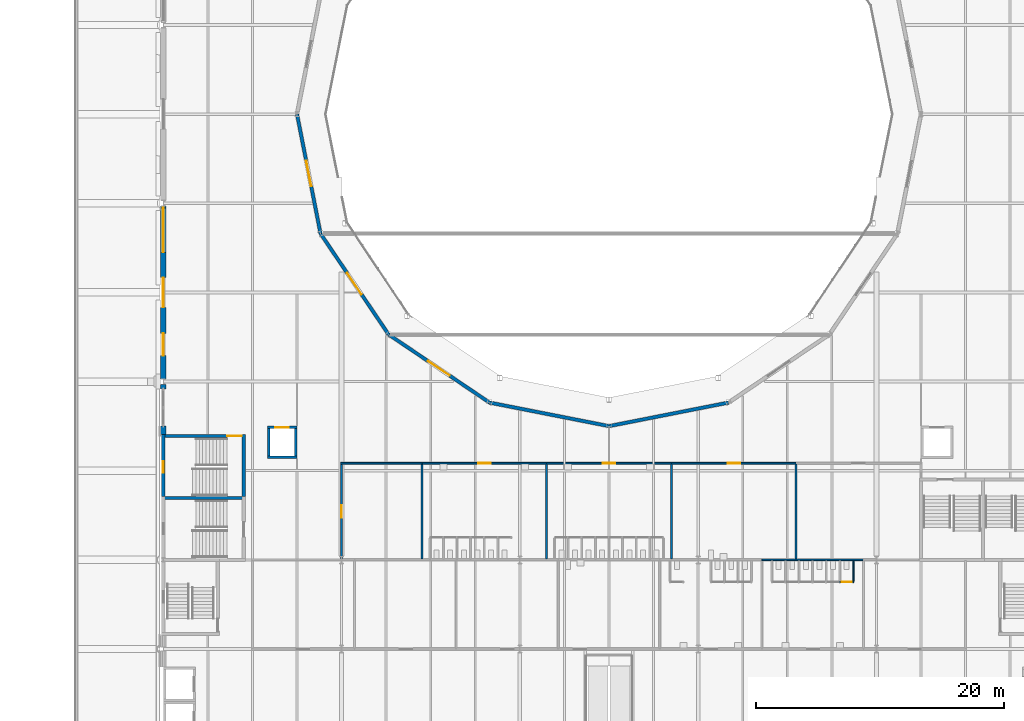
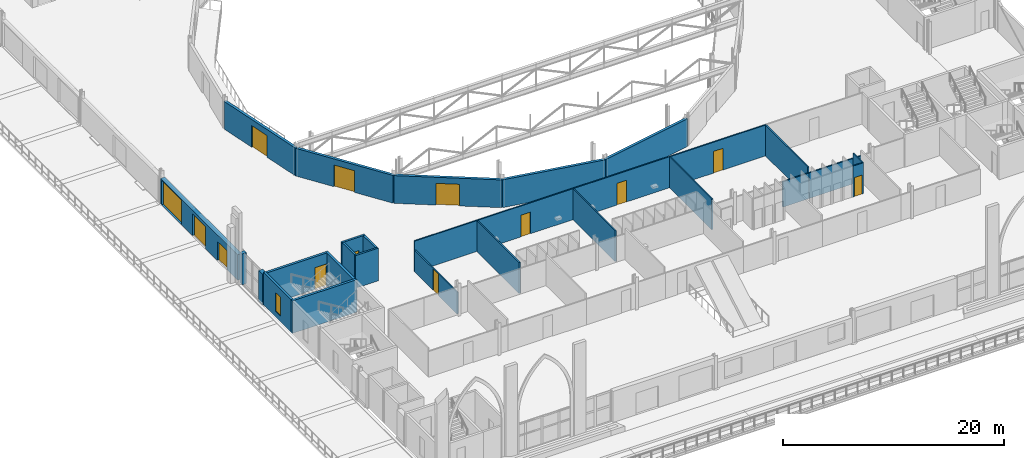
# One storey, part 71 of 143: 29 walls, 13 doors, 1 window, 14 openings.
"""IFC4 building model written with IfcOpenShell, lengths in metres."""

from ifc_helpers import new_model, si_unit, direction, frame, frame_2d, origin, place, context, subcontext, project, spatial, rectangle, extrude, material, layer, layer_set, type_object, element, fill, save


model = new_model("IFC4")

# Units and contexts
model_context = context("Model", 3, precision=1e-05, world=origin(), true_north=direction((0.0, 1.0)))
body_context = subcontext(model_context, "Body", "Model", "MODEL_VIEW")
ifc_project = project(units=[si_unit("LENGTHUNIT", "METRE"), si_unit("AREAUNIT", "SQUARE_METRE"), si_unit("VOLUMEUNIT", "CUBIC_METRE"), si_unit("PLANEANGLEUNIT", "RADIAN"), si_unit("MASSUNIT", "GRAM", prefix="KILO")], contexts=[model_context])

# Site, building, storey
site_placement = place(None, origin())
site = spatial("IfcSite", under=ifc_project, at=site_placement, CompositionType="ELEMENT")
building_placement = place(site_placement, origin())
building = spatial("IfcBuilding", under=site, at=building_placement, Name="Kupolbacken Congress Centre", CompositionType="ELEMENT")
storey_placement = place(building_placement, frame((0.0, 0.0, 7.199951171875)))
storey = spatial("IfcBuildingStorey", under=building, at=storey_placement, Name="L02", CompositionType="ELEMENT", Elevation=7.199951171875)

# Wall, openings, doors
ifc_material_1 = material(Name="Limestone", Category="masonry")
ifc_layer_1 = layer(ifc_material_1, 0.1201171875)
ifc_material_2 = material(Name="Air cavity", Category="air")
ifc_layer_2 = layer(ifc_material_2, 0.0400390625, ventilated=True)
ifc_material_3 = material(Name="Mineral wool", Category="insulation")
ifc_layer_3 = layer(ifc_material_3, 0.159912109375)
ifc_material_4 = material(Name="Concrete block", Category="masonry")
ifc_layer_4 = layer(ifc_material_4, 0.1201171875)
ifc_layer_set_1 = layer_set([ifc_layer_1, ifc_layer_2, ifc_layer_3, ifc_layer_4], Name="Limestone / Mineral wool / Concrete block")
wall_type_1 = type_object("IfcWallType", Name="EW05 external cavity wall 440", PredefinedType="SOLIDWALL", material=ifc_layer_set_1)
wall_1_placement = place(storey_placement, frame((7.199951171875, 78.97509765625, 0.0), z_axis=(0.0, 0.0, 1.0), x_axis=(0.0, -1.0, 0.0)))
wall_1 = element("IfcWall", 1, at=wall_1_placement, inside=storey, type_object=wall_type_1, Name="E/P/W/L02/291", PredefinedType="SOLIDWALL", context=body_context, shape_type="SweptSolid", body=[
    extrude(rectangle(XDim=13.9501953125, YDim=0.43994140625, at=frame_2d((6.97509765625, 0.0))), origin(), (0.0, 0.0, 1.0), 2.820068359375),
])
opening_1_placement = place(wall_1_placement, frame((0.14990234375, 0.0, 0.0)))
opening_1 = element("IfcOpeningElement", 2, at=opening_1_placement, cuts=wall_1, Name="Opening D40", PredefinedType="OPENING", context=body_context, shape_type="SweptSolid", body=[
    extrude(rectangle(XDim=3.60009765625, YDim=2.699951171875, at=frame_2d((1.800048828125, 1.35009765625))), frame((0.0, 0.22998046875, 0.0), z_axis=(0.0, -1.0, 0.0), x_axis=(1.0, 0.0, 0.0)), (0.0, 0.0, 1.0), 0.4599609375),
])
opening_2_placement = place(wall_1_placement, frame((5.77490234375, 0.0, 0.0)))
opening_2 = element("IfcOpeningElement", 3, at=opening_2_placement, cuts=wall_1, Name="Opening D18", PredefinedType="OPENING", context=body_context, shape_type="SweptSolid", body=[
    extrude(rectangle(XDim=2.39990234375, YDim=2.39990234375, at=frame_2d((1.199951171875, 1.199951171875))), frame((0.0, 0.22998046875, 0.0), z_axis=(0.0, -1.0, 0.0), x_axis=(1.0, 0.0, 0.0)), (0.0, 0.0, 1.0), 0.4599609375),
])
opening_3_placement = place(wall_1_placement, frame((10.27490234375, 0.0, 0.0)))
opening_3 = element("IfcOpeningElement", 4, at=opening_3_placement, cuts=wall_1, Name="Opening D44", PredefinedType="OPENING", context=body_context, shape_type="SweptSolid", body=[
    extrude(rectangle(XDim=1.800048828125, YDim=2.10009765625, at=frame_2d((0.89990234375, 1.050048828125))), frame((0.0, 0.22998046875, 0.0), z_axis=(0.0, -1.0, 0.0), x_axis=(1.0, 0.0, 0.0)), (0.0, 0.0, 1.0), 0.4599609375),
])
ifc_material_5 = material(Name="Timber door leaf", Category="wood")
door_type_1 = type_object("IfcDoorType", Name="D18 door 2400x2400", OperationType="DOUBLE_DOOR_SINGLE_SWING", PredefinedType="DOOR", material=ifc_material_5)
door_1_placement = place(opening_2_placement, frame((2.39990234375, 0.0, 0.0), z_axis=(0.0, 0.0, 1.0), x_axis=(-1.0, 0.0, 0.0)))
door_1 = element("IfcDoor", 5, at=door_1_placement, inside=storey, type_object=door_type_1, Name="West terrace door 2", OperationType="DOUBLE_DOOR_SINGLE_SWING", OverallHeight=2.39990234375, OverallWidth=2.39990234375, PredefinedType="DOOR", context=body_context, shape_type="SweptSolid", body=[
    extrude(rectangle(XDim=2.39990234375, YDim=2.39990234375, at=frame_2d((1.199951171875, 1.199951171875))), frame((0.0, 0.02490234375, 0.0), z_axis=(0.0, -1.0, 0.0), x_axis=(1.0, 0.0, 0.0)), (0.0, 0.0, 1.0), 0.050048828125),
])
fill(opening_2, door_1)
ifc_material_6 = material(Name="Aluminium framed glazed door", Category="aluminium")
door_type_2 = type_object("IfcDoorType", Name="D40 entrance door pair 3600x2700", OperationType="DOUBLE_DOOR_SINGLE_SWING", PredefinedType="DOOR", material=ifc_material_6)
door_2_placement = place(opening_1_placement, frame((3.60009765625, 0.0, 0.0), z_axis=(0.0, 0.0, 1.0), x_axis=(-1.0, 0.0, 0.0)))
door_2 = element("IfcDoor", 6, at=door_2_placement, inside=storey, type_object=door_type_2, Name="West terrace entrance 1", OperationType="DOUBLE_DOOR_SINGLE_SWING", OverallHeight=2.699951171875, OverallWidth=3.60009765625, PredefinedType="DOOR", context=body_context, shape_type="SweptSolid", body=[
    extrude(rectangle(XDim=3.60009765625, YDim=2.699951171875, at=frame_2d((1.800048828125, 1.35009765625))), frame((0.0, 0.02490234375, 0.0), z_axis=(0.0, -1.0, 0.0), x_axis=(1.0, 0.0, 0.0)), (0.0, 0.0, 1.0), 0.050048828125),
])
fill(opening_1, door_2)
ifc_material_7 = material(Name="Steel fire door leaf", Category="steel")
door_type_3 = type_object("IfcDoorType", Name="D44 stair door 1800x2100", OperationType="DOUBLE_DOOR_SINGLE_SWING", PredefinedType="DOOR", material=ifc_material_7)
door_3_placement = place(opening_3_placement, frame((1.800048828125, 0.0, 0.0), z_axis=(0.0, 0.0, 1.0), x_axis=(-1.0, 0.0, 0.0)))
door_3 = element("IfcDoor", 7, at=door_3_placement, inside=storey, type_object=door_type_3, Name="Final exit U1", OperationType="DOUBLE_DOOR_SINGLE_SWING", OverallHeight=2.10009765625, OverallWidth=1.800048828125, PredefinedType="DOOR", context=body_context, shape_type="SweptSolid", body=[
    extrude(rectangle(XDim=1.800048828125, YDim=2.10009765625, at=frame_2d((0.89990234375, 1.050048828125))), frame((0.0, 0.02490234375, 0.0), z_axis=(0.0, -1.0, 0.0), x_axis=(1.0, 0.0, 0.0)), (0.0, 0.0, 1.0), 0.050048828125),
])
fill(opening_3, door_3)

# Walls
wall_2_placement = place(storey_placement, frame((7.199951171875, 64.574951171875, 0.0), z_axis=(0.0, 0.0, 1.0), x_axis=(0.0, -1.0, 0.0)))
element("IfcWall", 8, at=wall_2_placement, inside=storey, type_object=wall_type_1, Name="E/P/W/L02/292", PredefinedType="SOLIDWALL", context=body_context, shape_type="SweptSolid", body=[
    extrude(rectangle(XDim=0.375, YDim=0.43994140625, at=frame_2d((0.1875, 0.0))), origin(), (0.0, 0.0, 1.0), 3.420166015625),
])
wall_3_placement = place(storey_placement, frame((7.199951171875, 61.199951171875, 0.0), z_axis=(0.0, 0.0, 1.0), x_axis=(0.0, -1.0, 0.0)))
element("IfcWall", 9, at=wall_3_placement, inside=storey, type_object=wall_type_1, Name="E/P/W/L02/294", PredefinedType="SOLIDWALL", context=body_context, shape_type="SweptSolid", body=[
    extrude(rectangle(XDim=0.675048828125, YDim=0.43994140625, at=frame_2d((0.33740234375, 0.0))), origin(), (0.0, 0.0, 1.0), 3.420166015625),
])

# Wall, opening, door
ifc_material_8 = material(Name="Gypsum board", Category="drywall")
ifc_layer_5 = layer(ifc_material_8, 0.114990234375)
ifc_layer_set_2 = layer_set([ifc_layer_5], Name="Gypsum board")
wall_type_2 = type_object("IfcWallType", Name="P04 partition 115", PredefinedType="PARTITIONING", material=ifc_layer_set_2)
wall_4_placement = place(storey_placement, frame((61.85009765625, 48.60009765625, 0.0), z_axis=(0.0, 0.0, 1.0), x_axis=(1.0, 0.0, 0.0)))
wall_4 = element("IfcWall", 10, at=wall_4_placement, inside=storey, type_object=wall_type_2, Name="PD/L02/F-19/cub06/F", PredefinedType="PARTITIONING", context=body_context, shape_type="SweptSolid", body=[
    extrude(rectangle(XDim=1.099853515625, YDim=0.114990234375, at=frame_2d((0.5498046875, 0.0))), origin(), (0.0, 0.0, 1.0), 3.420166015625),
])
opening_4_placement = place(wall_4_placement, frame((0.14990234375, 0.0, 0.0)))
opening_4 = element("IfcOpeningElement", 11, at=opening_4_placement, cuts=wall_4, Name="Opening 2.WF54", PredefinedType="OPENING", context=body_context, shape_type="SweptSolid", body=[
    extrude(rectangle(XDim=0.800048828125, YDim=2.10009765625, at=frame_2d((0.39990234375, 1.050048828125))), frame((0.0, 0.0673828125, 0.0), z_axis=(0.0, -1.0, 0.0), x_axis=(1.0, 0.0, 0.0)), (0.0, 0.0, 1.0), 0.135009765625),
])
ifc_material_9 = material(Name="Timber door leaf", Category="wood")
door_type_4 = type_object("IfcDoorType", Name="D2 door 800x2100", OperationType="SINGLE_SWING_LEFT", PredefinedType="DOOR", material=ifc_material_9)
door_4_placement = place(opening_4_placement, origin())
door_4 = element("IfcDoor", 12, at=door_4_placement, inside=storey, type_object=door_type_4, Name="PD/L02/F-19/cub06/F/DC", OperationType="SINGLE_SWING_RIGHT", OverallHeight=2.10009765625, OverallWidth=0.800048828125, PredefinedType="DOOR", context=body_context, shape_type="SweptSolid", body=[
    extrude(rectangle(XDim=0.800048828125, YDim=2.10009765625, at=frame_2d((0.39990234375, 1.050048828125))), frame((0.0, 0.02490234375, 0.0), z_axis=(0.0, -1.0, 0.0), x_axis=(1.0, 0.0, 0.0)), (0.0, 0.0, 1.0), 0.050048828125),
])
fill(opening_4, door_4)

# Walls
wall_5_placement = place(storey_placement, frame((62.949951171875, 50.342529296875, 0.0), z_axis=(0.0, 0.0, 1.0), x_axis=(0.0, -1.0, 0.0)))
element("IfcWall", 13, at=wall_5_placement, inside=storey, type_object=wall_type_2, Name="PD/L02/F-19/cub06/b", PredefinedType="PARTITIONING", context=body_context, shape_type="SweptSolid", body=[
    extrude(rectangle(XDim=1.68505859375, YDim=0.114990234375, at=frame_2d((0.842529296875, 0.0))), origin(), (0.0, 0.0, 1.0), 3.420166015625),
])
ifc_material_10 = material(Name="Gypsum board", Category="drywall")
ifc_layer_6 = layer(ifc_material_10, 0.135009765625)
ifc_layer_set_3 = layer_set([ifc_layer_6], Name="Gypsum board")
wall_type_3 = type_object("IfcWallType", Name="P06 compartment wall 135", PredefinedType="PARTITIONING", material=ifc_layer_set_3)
wall_6_placement = place(storey_placement, frame((55.550048828125, 50.39990234375, 0.0), z_axis=(0.0, 0.0, 1.0), x_axis=(1.0, 0.0, 0.0)))
element("IfcWall", 14, at=wall_6_placement, inside=storey, type_object=wall_type_3, Name="PD/L02/W039", PredefinedType="PARTITIONING", context=body_context, shape_type="SweptSolid", body=[
    extrude(rectangle(XDim=2.75, YDim=0.135009765625, at=frame_2d((1.375, 0.0))), origin(), (0.0, 0.0, 1.0), 2.820068359375),
])
wall_7_placement = place(storey_placement, frame((58.300048828125, 50.39990234375, 0.0), z_axis=(0.0, 0.0, 1.0), x_axis=(1.0, 0.0, 0.0)))
element("IfcWall", 15, at=wall_7_placement, inside=storey, type_object=wall_type_3, Name="PD/L02/W040", PredefinedType="PARTITIONING", context=body_context, shape_type="SweptSolid", body=[
    extrude(rectangle(XDim=5.449951171875, YDim=0.135009765625, at=frame_2d((2.72509765625, 0.0))), origin(), (0.0, 0.0, 1.0), 2.820068359375),
])
wall_8_placement = place(storey_placement, frame((28.10009765625, 58.132568359375, 0.0), z_axis=(0.0, 0.0, 1.0), x_axis=(0.0, -1.0, 0.0)))
element("IfcWall", 16, at=wall_8_placement, inside=storey, type_object=wall_type_3, Name="PD/L02/W042", PredefinedType="PARTITIONING", context=body_context, shape_type="SweptSolid", body=[
    extrude(rectangle(XDim=7.6650390625, YDim=0.135009765625, at=frame_2d((3.83251953125, 0.0))), origin(), (0.0, 0.0, 1.0), 3.420166015625),
])

# Wall, opening, door
wall_9_placement = place(storey_placement, frame((21.60009765625, 50.467529296875, 0.0), z_axis=(0.0, 0.0, 1.0), x_axis=(0.0, 1.0, 0.0)))
wall_9 = element("IfcWall", 17, at=wall_9_placement, inside=storey, type_object=wall_type_3, Name="PD/L02/W043", PredefinedType="PARTITIONING", context=body_context, shape_type="SweptSolid", body=[
    extrude(rectangle(XDim=7.6650390625, YDim=0.135009765625, at=frame_2d((3.83251953125, 0.0))), origin(), (0.0, 0.0, 1.0), 2.420166015625),
])
opening_5_placement = place(wall_9_placement, frame((3.35009765625, 0.0, 0.0)))
opening_5 = element("IfcOpeningElement", 18, at=opening_5_placement, cuts=wall_9, Name="Opening 2.P09", PredefinedType="OPENING", context=body_context, shape_type="SweptSolid", body=[
    extrude(rectangle(XDim=1.0, YDim=2.39990234375, at=frame_2d((0.5, 1.199951171875))), frame((0.0, 0.077392578125, 0.0), z_axis=(0.0, -1.0, 0.0), x_axis=(1.0, 0.0, 0.0)), (0.0, 0.0, 1.0), 0.155029296875),
])
ifc_material_11 = material(Name="Steel fire door leaf", Category="steel")
door_type_5 = type_object("IfcDoorType", Name="D8 fire door 1000x2400", OperationType="SINGLE_SWING_LEFT", PredefinedType="DOOR", material=ifc_material_11)
door_5_placement = place(opening_5_placement, frame((1.0, 0.0, 0.0), z_axis=(0.0, 0.0, 1.0), x_axis=(-1.0, 0.0, 0.0)))
door_5 = element("IfcDoor", 19, at=door_5_placement, inside=storey, type_object=door_type_5, Name="PD/L02/W043/D2P09", OperationType="SINGLE_SWING_RIGHT", OverallHeight=2.39990234375, OverallWidth=1.0, PredefinedType="DOOR", context=body_context, shape_type="SweptSolid", body=[
    extrude(rectangle(XDim=1.0, YDim=2.39990234375, at=frame_2d((0.5, 1.199951171875))), frame((0.0, 0.02490234375, 0.0), z_axis=(0.0, -1.0, 0.0), x_axis=(1.0, 0.0, 0.0)), (0.0, 0.0, 1.0), 0.050048828125),
])
fill(opening_5, door_5)

# Walls
wall_10_placement = place(storey_placement, frame((21.532470703125, 58.199951171875, 0.0), z_axis=(0.0, 0.0, 1.0), x_axis=(1.0, 0.0, 0.0)))
element("IfcWall", 20, at=wall_10_placement, inside=storey, type_object=wall_type_3, Name="PD/L02/W044", PredefinedType="PARTITIONING", context=body_context, shape_type="SweptSolid", body=[
    extrude(rectangle(XDim=6.567626953125, YDim=0.135009765625, at=frame_2d((3.28369140625, 0.0))), origin(), (0.0, 0.0, 1.0), 3.420166015625),
])
wall_11_placement = place(storey_placement, frame((38.14990234375, 58.132568359375, 0.0), z_axis=(0.0, 0.0, 1.0), x_axis=(0.0, -1.0, 0.0)))
element("IfcWall", 21, at=wall_11_placement, inside=storey, type_object=wall_type_3, Name="PD/L02/W045", PredefinedType="PARTITIONING", context=body_context, shape_type="SweptSolid", body=[
    extrude(rectangle(XDim=7.6650390625, YDim=0.135009765625, at=frame_2d((3.83251953125, 0.0))), origin(), (0.0, 0.0, 1.0), 3.420166015625),
])

# Wall, opening, door
wall_12_placement = place(storey_placement, frame((28.10009765625, 58.199951171875, 0.0), z_axis=(0.0, 0.0, 1.0), x_axis=(1.0, 0.0, 0.0)))
wall_12 = element("IfcWall", 22, at=wall_12_placement, inside=storey, type_object=wall_type_3, Name="PD/L02/W046", PredefinedType="PARTITIONING", context=body_context, shape_type="SweptSolid", body=[
    extrude(rectangle(XDim=10.0498046875, YDim=0.135009765625, at=frame_2d((5.02490234375, 0.0))), origin(), (0.0, 0.0, 1.0), 3.420166015625),
])
opening_6_placement = place(wall_12_placement, frame((4.550048828125, 0.0, 0.0)))
opening_6 = element("IfcOpeningElement", 23, at=opening_6_placement, cuts=wall_12, Name="Opening 2.P10", PredefinedType="OPENING", context=body_context, shape_type="SweptSolid", body=[
    extrude(rectangle(XDim=1.0, YDim=2.39990234375, at=frame_2d((0.5, 1.199951171875))), frame((0.0, 0.077392578125, 0.0), z_axis=(0.0, -1.0, 0.0), x_axis=(1.0, 0.0, 0.0)), (0.0, 0.0, 1.0), 0.155029296875),
])
door_6_placement = place(opening_6_placement, frame((1.0, 0.0, 0.0), z_axis=(0.0, 0.0, 1.0), x_axis=(-1.0, 0.0, 0.0)))
door_6 = element("IfcDoor", 24, at=door_6_placement, inside=storey, type_object=door_type_5, Name="PD/L02/W046/D2P10", OperationType="SINGLE_SWING_LEFT", OverallHeight=2.39990234375, OverallWidth=1.0, PredefinedType="DOOR", context=body_context, shape_type="SweptSolid", body=[
    extrude(rectangle(XDim=1.0, YDim=2.39990234375, at=frame_2d((0.5, 1.199951171875))), frame((0.0, 0.02490234375, 0.0), z_axis=(0.0, -1.0, 0.0), x_axis=(1.0, 0.0, 0.0)), (0.0, 0.0, 1.0), 0.050048828125),
])
fill(opening_6, door_6)

# Wall
wall_13_placement = place(storey_placement, frame((48.25, 58.132568359375, 0.0), z_axis=(0.0, 0.0, 1.0), x_axis=(0.0, -1.0, 0.0)))
element("IfcWall", 25, at=wall_13_placement, inside=storey, type_object=wall_type_3, Name="PD/L02/W047", PredefinedType="PARTITIONING", context=body_context, shape_type="SweptSolid", body=[
    extrude(rectangle(XDim=7.6650390625, YDim=0.135009765625, at=frame_2d((3.83251953125, 0.0))), origin(), (0.0, 0.0, 1.0), 3.420166015625),
])

# Wall, opening, door
wall_14_placement = place(storey_placement, frame((38.14990234375, 58.199951171875, 0.0), z_axis=(0.0, 0.0, 1.0), x_axis=(1.0, 0.0, 0.0)))
wall_14 = element("IfcWall", 26, at=wall_14_placement, inside=storey, type_object=wall_type_3, Name="PD/L02/W048", PredefinedType="PARTITIONING", context=body_context, shape_type="SweptSolid", body=[
    extrude(rectangle(XDim=10.10009765625, YDim=0.135009765625, at=frame_2d((5.050048828125, 0.0))), origin(), (0.0, 0.0, 1.0), 3.420166015625),
])
opening_7_placement = place(wall_14_placement, frame((4.550048828125, 0.0, 0.0)))
opening_7 = element("IfcOpeningElement", 27, at=opening_7_placement, cuts=wall_14, Name="Opening 2.P11", PredefinedType="OPENING", context=body_context, shape_type="SweptSolid", body=[
    extrude(rectangle(XDim=1.0, YDim=2.39990234375, at=frame_2d((0.5, 1.199951171875))), frame((0.0, 0.077392578125, 0.0), z_axis=(0.0, -1.0, 0.0), x_axis=(1.0, 0.0, 0.0)), (0.0, 0.0, 1.0), 0.155029296875),
])
door_7_placement = place(opening_7_placement, frame((1.0, 0.0, 0.0), z_axis=(0.0, 0.0, 1.0), x_axis=(-1.0, 0.0, 0.0)))
door_7 = element("IfcDoor", 28, at=door_7_placement, inside=storey, type_object=door_type_5, Name="PD/L02/W048/D2P11", OperationType="SINGLE_SWING_LEFT", OverallHeight=2.39990234375, OverallWidth=1.0, PredefinedType="DOOR", context=body_context, shape_type="SweptSolid", body=[
    extrude(rectangle(XDim=1.0, YDim=2.39990234375, at=frame_2d((0.5, 1.199951171875))), frame((0.0, 0.02490234375, 0.0), z_axis=(0.0, -1.0, 0.0), x_axis=(1.0, 0.0, 0.0)), (0.0, 0.0, 1.0), 0.050048828125),
])
fill(opening_7, door_7)

# Wall
wall_15_placement = place(storey_placement, frame((58.300048828125, 58.132568359375, 0.0), z_axis=(0.0, 0.0, 1.0), x_axis=(0.0, -1.0, 0.0)))
element("IfcWall", 29, at=wall_15_placement, inside=storey, type_object=wall_type_3, Name="PD/L02/W049", PredefinedType="PARTITIONING", context=body_context, shape_type="SweptSolid", body=[
    extrude(rectangle(XDim=7.6650390625, YDim=0.135009765625, at=frame_2d((3.83251953125, 0.0))), origin(), (0.0, 0.0, 1.0), 3.420166015625),
])

# Wall, opening, door
wall_16_placement = place(storey_placement, frame((48.25, 58.199951171875, 0.0), z_axis=(0.0, 0.0, 1.0), x_axis=(1.0, 0.0, 0.0)))
wall_16 = element("IfcWall", 30, at=wall_16_placement, inside=storey, type_object=wall_type_3, Name="PD/L02/W050", PredefinedType="PARTITIONING", context=body_context, shape_type="SweptSolid", body=[
    extrude(rectangle(XDim=10.050048828125, YDim=0.135009765625, at=frame_2d((5.02490234375, 0.0))), origin(), (0.0, 0.0, 1.0), 3.420166015625),
])
opening_8_placement = place(wall_16_placement, frame((4.550048828125, 0.0, 0.0)))
opening_8 = element("IfcOpeningElement", 31, at=opening_8_placement, cuts=wall_16, Name="Opening 2.P12", PredefinedType="OPENING", context=body_context, shape_type="SweptSolid", body=[
    extrude(rectangle(XDim=1.0, YDim=2.39990234375, at=frame_2d((0.5, 1.199951171875))), frame((0.0, 0.077392578125, 0.0), z_axis=(0.0, -1.0, 0.0), x_axis=(1.0, 0.0, 0.0)), (0.0, 0.0, 1.0), 0.155029296875),
])
door_8_placement = place(opening_8_placement, frame((1.0, 0.0, 0.0), z_axis=(0.0, 0.0, 1.0), x_axis=(-1.0, 0.0, 0.0)))
door_8 = element("IfcDoor", 32, at=door_8_placement, inside=storey, type_object=door_type_5, Name="PD/L02/W050/D2P12", OperationType="SINGLE_SWING_RIGHT", OverallHeight=2.39990234375, OverallWidth=1.0, PredefinedType="DOOR", context=body_context, shape_type="SweptSolid", body=[
    extrude(rectangle(XDim=1.0, YDim=2.39990234375, at=frame_2d((0.5, 1.199951171875))), frame((0.0, 0.02490234375, 0.0), z_axis=(0.0, -1.0, 0.0), x_axis=(1.0, 0.0, 0.0)), (0.0, 0.0, 1.0), 0.050048828125),
])
fill(opening_8, door_8)

ifc_material_12 = material(Name="Gypsum board", Category="drywall")
ifc_layer_7 = layer(ifc_material_12, 0.27490234375)
ifc_layer_set_4 = layer_set([ifc_layer_7], Name="Gypsum board")
wall_type_4 = type_object("IfcWallType", Name="P12 partition 275", PredefinedType="PARTITIONING", material=ifc_layer_set_4)
wall_17_placement = place(storey_placement, frame((18.0, 86.39990234375, 0.0), z_axis=(0.0, 0.0, 1.0), x_axis=(0.193174651092, -0.981164386928, 0.0)))
wall_17 = element("IfcWall", 33, at=wall_17_placement, inside=storey, type_object=wall_type_4, Name="PD/L02/W052", PredefinedType="PARTITIONING", context=body_context, shape_type="SweptSolid", body=[
    extrude(rectangle(XDim=9.835205078125, YDim=0.27490234375, at=frame_2d((4.91748046875, 0.0))), origin(), (0.0, 0.0, 1.0), 3.070068359375),
])
opening_9_placement = place(wall_17_placement, frame((3.85009765625, 0.0, 0.0)))
opening_9 = element("IfcOpeningElement", 34, at=opening_9_placement, cuts=wall_17, Name="Opening 2.P16", PredefinedType="OPENING", context=body_context, shape_type="SweptSolid", body=[
    extrude(rectangle(XDim=2.10009765625, YDim=2.39990234375, at=frame_2d((1.050048828125, 1.199951171875))), frame((0.0, 0.1474609375, 0.0), z_axis=(0.0, -1.0, 0.0), x_axis=(1.0, 0.0, 0.0)), (0.0, 0.0, 1.0), 0.294921875),
])
ifc_material_13 = material(Name="Steel fire door leaf", Category="steel")
door_type_6 = type_object("IfcDoorType", Name="D17 fire door 2100x2400", OperationType="DOUBLE_DOOR_SINGLE_SWING", PredefinedType="DOOR", material=ifc_material_13)
door_9_placement = place(opening_9_placement, frame((2.10009765625, 0.0, 0.0), z_axis=(0.0, 0.0, 1.0), x_axis=(-1.0, 0.0, 0.0)))
door_9 = element("IfcDoor", 35, at=door_9_placement, inside=storey, type_object=door_type_6, Name="PD/L02/W052/D2P16", OperationType="DOUBLE_DOOR_SINGLE_SWING", OverallHeight=2.39990234375, OverallWidth=2.10009765625, PredefinedType="DOOR", context=body_context, shape_type="SweptSolid", body=[
    extrude(rectangle(XDim=2.10009765625, YDim=2.39990234375, at=frame_2d((1.050048828125, 1.199951171875))), frame((0.0, 0.02490234375, 0.0), z_axis=(0.0, -1.0, 0.0), x_axis=(1.0, 0.0, 0.0)), (0.0, 0.0, 1.0), 0.050048828125),
])
fill(opening_9, door_9)

wall_18_placement = place(storey_placement, frame((19.89990234375, 76.75, 0.0), z_axis=(0.0, 0.0, 1.0), x_axis=(0.559390118145, -0.828904515443, 0.0)))
wall_18 = element("IfcWall", 36, at=wall_18_placement, inside=storey, type_object=wall_type_4, Name="PD/L02/W053", PredefinedType="PARTITIONING", context=body_context, shape_type="SweptSolid", body=[
    extrude(rectangle(XDim=9.83203125, YDim=0.27490234375, at=frame_2d((4.916015625, 0.0))), origin(), (0.0, 0.0, 1.0), 3.070068359375),
])
opening_10_placement = place(wall_18_placement, frame((3.85009765625, 0.0, 0.0)))
opening_10 = element("IfcOpeningElement", 37, at=opening_10_placement, cuts=wall_18, Name="Opening 2.P17", PredefinedType="OPENING", context=body_context, shape_type="SweptSolid", body=[
    extrude(rectangle(XDim=2.10009765625, YDim=2.39990234375, at=frame_2d((1.050048828125, 1.199951171875))), frame((0.0, 0.1474609375, 0.0), z_axis=(0.0, -1.0, 0.0), x_axis=(1.0, 0.0, 0.0)), (0.0, 0.0, 1.0), 0.294921875),
])
door_10_placement = place(opening_10_placement, frame((2.10009765625, 0.0, 0.0), z_axis=(0.0, 0.0, 1.0), x_axis=(-1.0, 0.0, 0.0)))
door_10 = element("IfcDoor", 38, at=door_10_placement, inside=storey, type_object=door_type_6, Name="PD/L02/W053/D2P17", OperationType="DOUBLE_DOOR_SINGLE_SWING", OverallHeight=2.39990234375, OverallWidth=2.10009765625, PredefinedType="DOOR", context=body_context, shape_type="SweptSolid", body=[
    extrude(rectangle(XDim=2.10009765625, YDim=2.39990234375, at=frame_2d((1.050048828125, 1.199951171875))), frame((0.0, 0.02490234375, 0.0), z_axis=(0.0, -1.0, 0.0), x_axis=(1.0, 0.0, 0.0)), (0.0, 0.0, 1.0), 0.050048828125),
])
fill(opening_10, door_10)

wall_19_placement = place(storey_placement, frame((25.39990234375, 68.60009765625, 0.0), z_axis=(0.0, 0.0, 1.0), x_axis=(0.828912285216, -0.559378604719, 0.0)))
wall_19 = element("IfcWall", 39, at=wall_19_placement, inside=storey, type_object=wall_type_4, Name="PD/L02/W054", PredefinedType="PARTITIONING", context=body_context, shape_type="SweptSolid", body=[
    extrude(rectangle(XDim=9.832275390625, YDim=0.27490234375, at=frame_2d((4.916015625, 0.0))), origin(), (0.0, 0.0, 1.0), 3.070068359375),
])
opening_11_placement = place(wall_19_placement, frame((3.85009765625, 0.0, 0.0)))
opening_11 = element("IfcOpeningElement", 40, at=opening_11_placement, cuts=wall_19, Name="Opening 2.P18", PredefinedType="OPENING", context=body_context, shape_type="SweptSolid", body=[
    extrude(rectangle(XDim=2.10009765625, YDim=2.39990234375, at=frame_2d((1.050048828125, 1.199951171875))), frame((0.0, 0.1474609375, 0.0), z_axis=(0.0, -1.0, 0.0), x_axis=(1.0, 0.0, 0.0)), (0.0, 0.0, 1.0), 0.294921875),
])
door_11_placement = place(opening_11_placement, frame((2.10009765625, 0.0, 0.0), z_axis=(0.0, 0.0, 1.0), x_axis=(-1.0, 0.0, 0.0)))
door_11 = element("IfcDoor", 41, at=door_11_placement, inside=storey, type_object=door_type_6, Name="PD/L02/W054/D2P18", OperationType="DOUBLE_DOOR_SINGLE_SWING", OverallHeight=2.39990234375, OverallWidth=2.10009765625, PredefinedType="DOOR", context=body_context, shape_type="SweptSolid", body=[
    extrude(rectangle(XDim=2.10009765625, YDim=2.39990234375, at=frame_2d((1.050048828125, 1.199951171875))), frame((0.0, 0.02490234375, 0.0), z_axis=(0.0, -1.0, 0.0), x_axis=(1.0, 0.0, 0.0)), (0.0, 0.0, 1.0), 0.050048828125),
])
fill(opening_11, door_11)

# Walls
wall_20_placement = place(storey_placement, frame((33.550048828125, 63.10009765625, 0.0), z_axis=(0.0, 0.0, 1.0), x_axis=(0.981159681755, -0.19319854787, 0.0)))
element("IfcWall", 42, at=wall_20_placement, inside=storey, type_object=wall_type_4, Name="PD/L02/W055", PredefinedType="PARTITIONING", context=body_context, shape_type="SweptSolid", body=[
    extrude(rectangle(XDim=9.835205078125, YDim=0.27490234375, at=frame_2d((4.91748046875, 0.0))), origin(), (0.0, 0.0, 1.0), 3.070068359375),
])
wall_21_placement = place(storey_placement, frame((43.199951171875, 61.199951171875, 0.0), z_axis=(0.0, 0.0, 1.0), x_axis=(0.981160608262, 0.193193842541, 0.0)))
element("IfcWall", 43, at=wall_21_placement, inside=storey, type_object=wall_type_4, Name="PD/L02/W056", PredefinedType="PARTITIONING", context=body_context, shape_type="SweptSolid", body=[
    extrude(rectangle(XDim=9.83544921875, YDim=0.27490234375, at=frame_2d((4.917724609375, 0.0))), origin(), (0.0, 0.0, 1.0), 3.070068359375),
])
ifc_material_14 = material(Name="Concrete C40/50", Category="concrete")
ifc_layer_8 = layer(ifc_material_14, 0.199951171875)
ifc_layer_set_5 = layer_set([ifc_layer_8], Name="Concrete C40/50")
wall_type_5 = type_object("IfcWallType", Name="WC1 RC shaft wall 200", PredefinedType="SHEAR", material=ifc_layer_set_5)
wall_22_placement = place(storey_placement, frame((15.60009765625, 58.699951171875, 0.0), z_axis=(0.0, 0.0, 1.0), x_axis=(1.0, 0.0, 0.0)))
element("IfcWall", 44, at=wall_22_placement, inside=storey, type_object=wall_type_5, Name="Shaft wall LP5", PredefinedType="SHEAR", context=body_context, shape_type="SweptSolid", body=[
    extrude(rectangle(XDim=2.39990234375, YDim=0.199951171875, at=frame_2d((1.199951171875, 0.0))), origin(), (0.0, 0.0, 1.0), 3.60009765625),
])

# Wall, opening, door
wall_23_placement = place(storey_placement, frame((15.60009765625, 61.10009765625, 0.0), z_axis=(0.0, 0.0, 1.0), x_axis=(1.0, 0.0, 0.0)))
wall_23 = element("IfcWall", 45, at=wall_23_placement, inside=storey, type_object=wall_type_5, Name="Shaft wall LP5", PredefinedType="SHEAR", context=body_context, shape_type="SweptSolid", body=[
    extrude(rectangle(XDim=2.39990234375, YDim=0.199951171875, at=frame_2d((1.199951171875, 0.0))), origin(), (0.0, 0.0, 1.0), 3.60009765625),
])
opening_12_placement = place(wall_23_placement, frame((0.64990234375, 0.0, 0.0)))
opening_12 = element("IfcOpeningElement", 46, at=opening_12_placement, cuts=wall_23, Name="Opening LD2", PredefinedType="OPENING", context=body_context, shape_type="SweptSolid", body=[
    extrude(rectangle(XDim=1.10009765625, YDim=2.10009765625, at=frame_2d((0.550048828125, 1.050048828125))), frame((0.0, 0.10986328125, 0.0), z_axis=(0.0, -1.0, 0.0), x_axis=(1.0, 0.0, 0.0)), (0.0, 0.0, 1.0), 0.219970703125),
])
ifc_material_15 = material(Name="Stainless steel door leaf", Category="steel")
door_type_7 = type_object("IfcDoorType", Name="LD2 lift landing door 1100x2100", OperationType="SLIDING_TO_LEFT", PredefinedType="DOOR", material=ifc_material_15)
door_12_placement = place(opening_12_placement, origin())
door_12 = element("IfcDoor", 47, at=door_12_placement, inside=storey, type_object=door_type_7, Name="Lift landing door LP5", OperationType="SLIDING_TO_LEFT", OverallHeight=2.10009765625, OverallWidth=1.10009765625, PredefinedType="DOOR", context=body_context, shape_type="SweptSolid", body=[
    extrude(rectangle(XDim=1.10009765625, YDim=2.10009765625, at=frame_2d((0.550048828125, 1.050048828125))), frame((0.0, 0.02490234375, 0.0), z_axis=(0.0, -1.0, 0.0), x_axis=(1.0, 0.0, 0.0)), (0.0, 0.0, 1.0), 0.050048828125),
])
fill(opening_12, door_12)

# Walls
for number, where, z_axis, x_axis, name in (
    (48, (15.699951171875, 58.800048828125, 0.0), (0.0, 0.0, 1.0), (0.0, 1.0, 0.0), "Shaft wall LP5"),
    (49, (17.89990234375, 58.800048828125, 0.0), (0.0, 0.0, 1.0), (0.0, 1.0, 0.0), "Shaft wall LP5"),
):
    element("IfcWall", number, at=place(storey_placement, frame(where, z_axis=z_axis, x_axis=x_axis)), inside=storey, type_object=wall_type_5, Name=name, PredefinedType="SHEAR", context=body_context, shape_type="SweptSolid", body=[
        extrude(rectangle(XDim=2.199951171875, YDim=0.199951171875, at=frame_2d((1.10009765625, 0.0))), origin(), (0.0, 0.0, 1.0), 3.60009765625),
    ])
ifc_material_16 = material(Name="Concrete C40/50", Category="concrete")
ifc_layer_9 = layer(ifc_material_16, 0.25)
ifc_layer_set_6 = layer_set([ifc_layer_9], Name="Concrete C40/50")
wall_type_6 = type_object("IfcWallType", Name="WC2 RC stair enclosure wall 250", PredefinedType="SHEAR", material=ifc_layer_set_6)
wall_24_placement = place(storey_placement, frame((13.824951171875, 55.39990234375, 0.0), z_axis=(0.0, 0.0, 1.0), x_axis=(-1.0, 0.0, 0.0)))
element("IfcWall", 50, at=wall_24_placement, inside=storey, type_object=wall_type_6, Name="Stair enclosure wall L02-035", PredefinedType="SHEAR", context=body_context, shape_type="SweptSolid", body=[
    extrude(rectangle(XDim=6.75, YDim=0.25, at=frame_2d((3.375, 0.0))), origin(), (0.0, 0.0, 1.0), 3.60009765625),
])
wall_25_placement = place(storey_placement, frame((13.699951171875, 55.52490234375, 0.0), z_axis=(0.0, 0.0, 1.0), x_axis=(0.0, 1.0, 0.0)))
element("IfcWall", 51, at=wall_25_placement, inside=storey, type_object=wall_type_6, Name="Stair enclosure wall L02-036", PredefinedType="SHEAR", context=body_context, shape_type="SweptSolid", body=[
    extrude(rectangle(XDim=5.0, YDim=0.25, at=frame_2d((2.5, 0.0))), origin(), (0.0, 0.0, 1.0), 3.60009765625),
])

# Wall, opening, window
wall_26_placement = place(storey_placement, frame((7.199951171875, 60.52490234375, 0.0), z_axis=(0.0, 0.0, 1.0), x_axis=(0.0, -1.0, 0.0)))
wall_26 = element("IfcWall", 52, at=wall_26_placement, inside=storey, type_object=wall_type_6, Name="Stair enclosure wall L02-043", PredefinedType="SHEAR", context=body_context, shape_type="SweptSolid", body=[
    extrude(rectangle(XDim=5.0, YDim=0.25, at=frame_2d((2.5, 0.0))), origin(), (0.0, 0.0, 1.0), 3.60009765625),
])
opening_13_placement = place(wall_26_placement, frame((2.175048828125, 0.0, 0.60009765625)))
opening_13 = element("IfcOpeningElement", 53, at=opening_13_placement, cuts=wall_26, Name="Opening W28", PredefinedType="OPENING", context=body_context, shape_type="SweptSolid", body=[
    extrude(rectangle(XDim=0.89990234375, YDim=2.10009765625, at=frame_2d((0.449951171875, 1.050048828125))), frame((0.0, 0.135009765625, 0.0), z_axis=(0.0, -1.0, 0.0), x_axis=(1.0, 0.0, 0.0)), (0.0, 0.0, 1.0), 0.27001953125),
])
ifc_material_17 = material(Name="Aluminium frame with double or triple glazing", Category="aluminium")
window_type = type_object("IfcWindowType", Name="W28 window 900x2100", PartitioningType="SINGLE_PANEL", PredefinedType="WINDOW", material=ifc_material_17)
window_placement = place(opening_13_placement, origin())
window = element("IfcWindow", 54, at=window_placement, inside=storey, type_object=window_type, Name="S/core/L02/043/W1/L02", OverallHeight=2.10009765625, OverallWidth=0.89990234375, PartitioningType="SINGLE_PANEL", PredefinedType="WINDOW", context=body_context, shape_type="SweptSolid", body=[
    extrude(rectangle(XDim=0.89990234375, YDim=2.10009765625, at=frame_2d((0.449951171875, 1.050048828125))), frame((0.0, 0.030029296875, 0.0), z_axis=(0.0, -1.0, 0.0), x_axis=(1.0, 0.0, 0.0)), (0.0, 0.0, 1.0), 0.06005859375),
])
fill(opening_13, window)

# Wall, opening, door
wall_27_placement = place(storey_placement, frame((13.824951171875, 60.39990234375, 0.0), z_axis=(0.0, 0.0, 1.0), x_axis=(-1.0, 0.0, 0.0)))
wall_27 = element("IfcWall", 55, at=wall_27_placement, inside=storey, type_object=wall_type_6, Name="Stair enclosure wall L02-044", PredefinedType="SHEAR", context=body_context, shape_type="SweptSolid", body=[
    extrude(rectangle(XDim=6.75, YDim=0.25, at=frame_2d((3.375, 0.0))), origin(), (0.0, 0.0, 1.0), 3.60009765625),
])
opening_14_placement = place(wall_27_placement, frame((0.27490234375, 0.0, 0.0)))
opening_14 = element("IfcOpeningElement", 56, at=opening_14_placement, cuts=wall_27, Name="Opening 2.P02", PredefinedType="OPENING", context=body_context, shape_type="SweptSolid", body=[
    extrude(rectangle(XDim=1.199951171875, YDim=2.39990234375, at=frame_2d((0.60009765625, 1.199951171875))), frame((0.0, 0.135009765625, 0.0), z_axis=(0.0, -1.0, 0.0), x_axis=(1.0, 0.0, 0.0)), (0.0, 0.0, 1.0), 0.27001953125),
])
ifc_material_18 = material(Name="Steel fire door leaf", Category="steel")
door_type_8 = type_object("IfcDoorType", Name="D9 fire door 1200x2400", OperationType="SINGLE_SWING_LEFT", PredefinedType="DOOR", material=ifc_material_18)
door_13_placement = place(opening_14_placement, origin())
door_13 = element("IfcDoor", 57, at=door_13_placement, inside=storey, type_object=door_type_8, Name="S/core/L02/044/D2P02", OperationType="SINGLE_SWING_RIGHT", OverallHeight=2.39990234375, OverallWidth=1.199951171875, PredefinedType="DOOR", context=body_context, shape_type="SweptSolid", body=[
    extrude(rectangle(XDim=1.199951171875, YDim=2.39990234375, at=frame_2d((0.60009765625, 1.199951171875))), frame((0.0, 0.02490234375, 0.0), z_axis=(0.0, -1.0, 0.0), x_axis=(1.0, 0.0, 0.0)), (0.0, 0.0, 1.0), 0.050048828125),
])
fill(opening_14, door_13)

save(model, "model.ifc")
